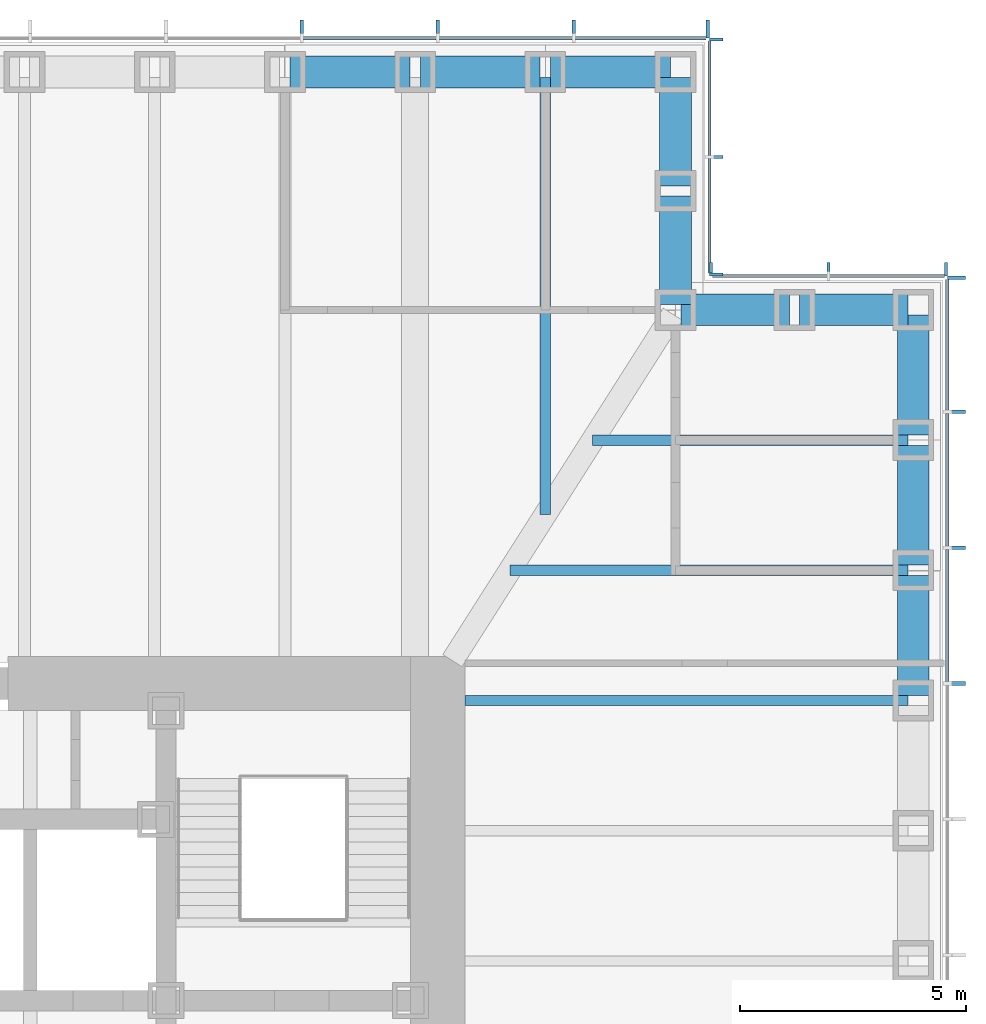
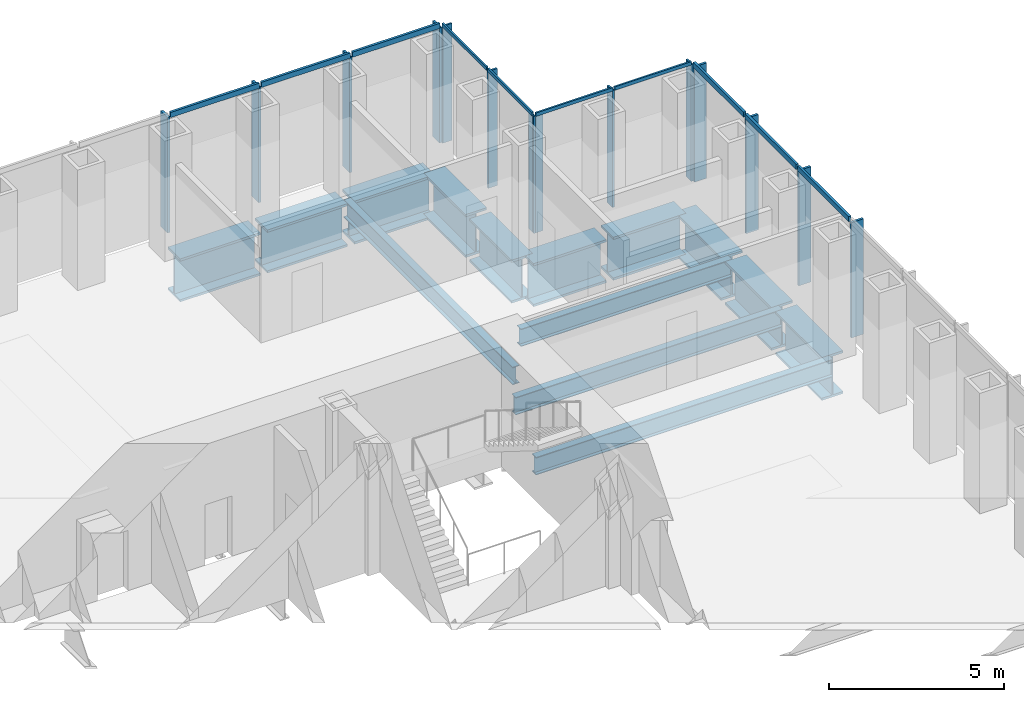
# One storey, part 6 of 16: 24 members, 14 beams, 4 elements without a shape of their own.
"""IFC4 building model written with IfcOpenShell, lengths in metres."""

from ifc_helpers import new_model, si_unit, direction, frame, origin, origin_2d, place, context, subcontext, project, spatial, rectangle, i_section, extrude, material, material_profile, profile_set, type_object, element, aggregate, save


model = new_model("IFC4")

# Units and contexts
model_context = context("Model", 3, precision=1e-05, world=origin(), true_north=direction((0.0, 1.0)))
body_context = subcontext(model_context, "Body", "Model", "MODEL_VIEW")
ifc_project = project(units=[si_unit("LENGTHUNIT", "METRE"), si_unit("AREAUNIT", "SQUARE_METRE"), si_unit("VOLUMEUNIT", "CUBIC_METRE"), si_unit("PLANEANGLEUNIT", "RADIAN"), si_unit("MASSUNIT", "GRAM", prefix="KILO")], contexts=[model_context])

# Site, building, storey
site_placement = place(None, origin())
site = spatial("IfcSite", under=ifc_project, at=site_placement, CompositionType="ELEMENT")
building_placement = place(site_placement, origin())
building = spatial("IfcBuilding", under=site, at=building_placement, Name="Daluyong Arena Tower", CompositionType="ELEMENT")
storey_placement = place(building_placement, frame((0.0, 0.0, 162.699951171875)))
storey = spatial("IfcBuildingStorey", under=building, at=storey_placement, Name="L36", CompositionType="ELEMENT", Elevation=162.699951171875)

# Curtain wall, members
ifc_material_1 = material(Name="Bronze anodised aluminium and glass", Category="aluminium")
curtain_wall_type_1 = type_object("IfcCurtainWallType", Name="Curtain wall CW2", PredefinedType="USERDEFINED", material=ifc_material_1)
curtain_wall_1_placement = place(storey_placement, origin())
curtain_wall_1 = element("IfcCurtainWall", 1, at=curtain_wall_1_placement, inside=storey, type_object=curtain_wall_type_1, Name="curtain wall L36 E", ObjectType="UNITISED CURTAIN WALL", PredefinedType="USERDEFINED")
ifc_material_2 = material(Name="Bronze anodised aluminium fin", Category="aluminium")
ifc_material_profile_1 = material_profile(ifc_material_2, rectangle(XDim=0.39990234375, YDim=0.080078125, at=origin_2d()))
ifc_profile_set_1 = profile_set([ifc_material_profile_1], Name="Bronze anodised aluminium fin")
member_type_1 = type_object("IfcMemberType", Name="CW2 bronze fin 400x80", PredefinedType="MULLION", material=ifc_profile_set_1)
member_1_placement = place(storey_placement, frame((79.449951171875, 89.0, 0.0), z_axis=(0.0, 0.0, 1.0), x_axis=(-1.0, 0.0, 0.0)))
member_1 = element("IfcMember", 2, at=member_1_placement, type_object=member_type_1, Name="curtain wall L36 E fin 10", PredefinedType="MULLION", context=body_context, shape_type="SweptSolid", body=[
    extrude(rectangle(XDim=0.39990234375, YDim=0.080078125, at=origin_2d()), origin(), (0.0, 0.0, 1.0), 4.02001953125),
])
member_2_placement = place(storey_placement, frame((79.449951171875, 92.0, 0.0), z_axis=(0.0, 0.0, 1.0), x_axis=(-1.0, 0.0, 0.0)))
member_2 = element("IfcMember", 3, at=member_2_placement, type_object=member_type_1, Name="curtain wall L36 E fin 11", PredefinedType="MULLION", context=body_context, shape_type="SweptSolid", body=[
    extrude(rectangle(XDim=0.39990234375, YDim=0.080078125, at=origin_2d()), origin(), (0.0, 0.0, 1.0), 4.02001953125),
])
member_3_placement = place(storey_placement, frame((79.449951171875, 95.0, 0.0), z_axis=(0.0, 0.0, 1.0), x_axis=(-1.0, 0.0, 0.0)))
member_3 = element("IfcMember", 4, at=member_3_placement, type_object=member_type_1, Name="curtain wall L36 E fin 12", PredefinedType="MULLION", context=body_context, shape_type="SweptSolid", body=[
    extrude(rectangle(XDim=0.39990234375, YDim=0.080078125, at=origin_2d()), origin(), (0.0, 0.0, 1.0), 4.02001953125),
])
member_4_placement = place(storey_placement, frame((79.449951171875, 97.9599609375, 0.0), z_axis=(0.0, 0.0, 1.0), x_axis=(-1.0, 0.0, 0.0)))
member_4 = element("IfcMember", 5, at=member_4_placement, type_object=member_type_1, Name="curtain wall L36 E fin 13", PredefinedType="MULLION", context=body_context, shape_type="SweptSolid", body=[
    extrude(rectangle(XDim=0.39990234375, YDim=0.080078125, at=origin_2d()), origin(), (0.0, 0.0, 1.0), 4.02001953125),
])

curtain_wall_2_placement = place(storey_placement, origin())
curtain_wall_2 = element("IfcCurtainWall", 6, at=curtain_wall_2_placement, inside=storey, type_object=curtain_wall_type_1, Name="curtain wall L36 N", ObjectType="UNITISED CURTAIN WALL", PredefinedType="USERDEFINED")
member_5_placement = place(storey_placement, frame((73.9599609375, 103.449951171875, 0.0), z_axis=(0.0, 0.0, 1.0), x_axis=(0.0, -1.0, 0.0)))
member_5 = element("IfcMember", 7, at=member_5_placement, type_object=member_type_1, Name="curtain wall L36 N fin 1", PredefinedType="MULLION", context=body_context, shape_type="SweptSolid", body=[
    extrude(rectangle(XDim=0.39990234375, YDim=0.080078125, at=origin_2d()), origin(), (0.0, 0.0, 1.0), 4.02001953125),
])
member_6_placement = place(storey_placement, frame((71.0, 103.449951171875, 0.0), z_axis=(0.0, 0.0, 1.0), x_axis=(0.0, -1.0, 0.0)))
member_6 = element("IfcMember", 8, at=member_6_placement, type_object=member_type_1, Name="curtain wall L36 N fin 2", PredefinedType="MULLION", context=body_context, shape_type="SweptSolid", body=[
    extrude(rectangle(XDim=0.39990234375, YDim=0.080078125, at=origin_2d()), origin(), (0.0, 0.0, 1.0), 4.02001953125),
])
member_7_placement = place(storey_placement, frame((68.0, 103.449951171875, 0.0), z_axis=(0.0, 0.0, 1.0), x_axis=(0.0, -1.0, 0.0)))
member_7 = element("IfcMember", 9, at=member_7_placement, type_object=member_type_1, Name="curtain wall L36 N fin 3", PredefinedType="MULLION", context=body_context, shape_type="SweptSolid", body=[
    extrude(rectangle(XDim=0.39990234375, YDim=0.080078125, at=origin_2d()), origin(), (0.0, 0.0, 1.0), 4.02001953125),
])
member_8_placement = place(storey_placement, frame((65.0, 103.449951171875, 0.0), z_axis=(0.0, 0.0, 1.0), x_axis=(0.0, -1.0, 0.0)))
member_8 = element("IfcMember", 10, at=member_8_placement, type_object=member_type_1, Name="curtain wall L36 N fin 4", PredefinedType="MULLION", context=body_context, shape_type="SweptSolid", body=[
    extrude(rectangle(XDim=0.39990234375, YDim=0.080078125, at=origin_2d()), origin(), (0.0, 0.0, 1.0), 4.02001953125),
])

# Member
ifc_material_3 = material(Name="Bronze anodised aluminium", Category="aluminium")
ifc_material_profile_2 = material_profile(ifc_material_3, rectangle(XDim=0.080078125, YDim=0.179931640625, at=origin_2d()))
ifc_profile_set_2 = profile_set([ifc_material_profile_2], Name="Bronze anodised aluminium")
member_type_2 = type_object("IfcMemberType", Name="CW2 stack transom 180x80", PredefinedType="USERDEFINED", material=ifc_profile_set_2)
member_9_placement = place(storey_placement, frame((79.25, 89.0400390625, 4.110107421875), z_axis=(0.0, 1.0, 0.0), x_axis=(-1.0, 0.0, 0.0)))
member_9 = element("IfcMember", 11, at=member_9_placement, type_object=member_type_2, Name="curtain wall L36 E transom 10", ObjectType="TRANSOM", PredefinedType="USERDEFINED", context=body_context, shape_type="SweptSolid", body=[
    extrude(rectangle(XDim=0.080078125, YDim=0.179931640625, at=origin_2d()), origin(), (0.0, 0.0, 1.0), 2.919921875),
])

member_10_placement = place(storey_placement, frame((79.25, 92.0400390625, 4.110107421875), z_axis=(0.0, 1.0, 0.0), x_axis=(-1.0, 0.0, 0.0)))
member_10 = element("IfcMember", 12, at=member_10_placement, type_object=member_type_2, Name="curtain wall L36 E transom 11", ObjectType="TRANSOM", PredefinedType="USERDEFINED", context=body_context, shape_type="SweptSolid", body=[
    extrude(rectangle(XDim=0.080078125, YDim=0.179931640625, at=origin_2d()), origin(), (0.0, 0.0, 1.0), 2.919921875),
])

member_11_placement = place(storey_placement, frame((79.25, 95.0400390625, 4.110107421875), z_axis=(0.0, 1.0, 0.0), x_axis=(-1.0, 0.0, 0.0)))
member_11 = element("IfcMember", 13, at=member_11_placement, type_object=member_type_2, Name="curtain wall L36 E transom 12", ObjectType="TRANSOM", PredefinedType="USERDEFINED", context=body_context, shape_type="SweptSolid", body=[
    extrude(rectangle(XDim=0.080078125, YDim=0.179931640625, at=origin_2d()), origin(), (0.0, 0.0, 1.0), 2.8798828125),
])

aggregate(curtain_wall_1, [member_1, member_2, member_3, member_4, member_9, member_10, member_11])

member_12_placement = place(storey_placement, frame((73.919921875, 103.25, 4.110107421875), z_axis=(-1.0, 0.0, 0.0), x_axis=(0.0, -1.0, 0.0)))
member_12 = element("IfcMember", 14, at=member_12_placement, type_object=member_type_2, Name="curtain wall L36 N transom 1", ObjectType="TRANSOM", PredefinedType="USERDEFINED", context=body_context, shape_type="SweptSolid", body=[
    extrude(rectangle(XDim=0.080078125, YDim=0.179931640625, at=origin_2d()), origin(), (0.0, 0.0, 1.0), 2.8798828125),
])

member_13_placement = place(storey_placement, frame((70.9599609375, 103.25, 4.110107421875), z_axis=(-1.0, 0.0, 0.0), x_axis=(0.0, -1.0, 0.0)))
member_13 = element("IfcMember", 15, at=member_13_placement, type_object=member_type_2, Name="curtain wall L36 N transom 2", ObjectType="TRANSOM", PredefinedType="USERDEFINED", context=body_context, shape_type="SweptSolid", body=[
    extrude(rectangle(XDim=0.080078125, YDim=0.179931640625, at=origin_2d()), origin(), (0.0, 0.0, 1.0), 2.919921875),
])

member_14_placement = place(storey_placement, frame((67.9599609375, 103.25, 4.110107421875), z_axis=(-1.0, 0.0, 0.0), x_axis=(0.0, -1.0, 0.0)))
member_14 = element("IfcMember", 16, at=member_14_placement, type_object=member_type_2, Name="curtain wall L36 N transom 3", ObjectType="TRANSOM", PredefinedType="USERDEFINED", context=body_context, shape_type="SweptSolid", body=[
    extrude(rectangle(XDim=0.080078125, YDim=0.179931640625, at=origin_2d()), origin(), (0.0, 0.0, 1.0), 2.919921875),
])

aggregate(curtain_wall_2, [member_5, member_6, member_7, member_8, member_12, member_13, member_14])

# Curtain wall, members
ifc_material_4 = material(Name="Bronze anodised aluminium and glass", Category="aluminium")
curtain_wall_type_2 = type_object("IfcCurtainWallType", Name="Curtain wall CW7", PredefinedType="USERDEFINED", material=ifc_material_4)
curtain_wall_3_placement = place(storey_placement, origin())
curtain_wall_3 = element("IfcCurtainWall", 17, at=curtain_wall_3_placement, inside=storey, type_object=curtain_wall_type_2, Name="curtain wall L36 NE-N", ObjectType="UNITISED CURTAIN WALL", PredefinedType="USERDEFINED")
ifc_material_5 = material(Name="Bronze anodised aluminium fin", Category="aluminium")
ifc_material_profile_3 = material_profile(ifc_material_5, rectangle(XDim=0.300048828125, YDim=0.06005859375, at=origin_2d()))
ifc_profile_set_3 = profile_set([ifc_material_profile_3], Name="Bronze anodised aluminium fin")
member_type_3 = type_object("IfcMemberType", Name="CW7 bronze fin 300x60", PredefinedType="MULLION", material=ifc_profile_set_3)
member_15_placement = place(storey_placement, frame((79.219970703125, 98.14990234375, 0.0), z_axis=(0.0, 0.0, 1.0), x_axis=(0.0, -1.0, 0.0)))
member_15 = element("IfcMember", 18, at=member_15_placement, type_object=member_type_3, Name="curtain wall L36 NE-N fin 1", PredefinedType="MULLION", context=body_context, shape_type="SweptSolid", body=[
    extrude(rectangle(XDim=0.300048828125, YDim=0.06005859375, at=origin_2d()), origin(), (0.0, 0.0, 1.0), 4.080078125),
])
member_16_placement = place(storey_placement, frame((76.625, 98.14990234375, 0.0), z_axis=(0.0, 0.0, 1.0), x_axis=(0.0, -1.0, 0.0)))
member_16 = element("IfcMember", 19, at=member_16_placement, type_object=member_type_3, Name="curtain wall L36 NE-N fin 2", PredefinedType="MULLION", context=body_context, shape_type="SweptSolid", body=[
    extrude(rectangle(XDim=0.300048828125, YDim=0.06005859375, at=origin_2d()), origin(), (0.0, 0.0, 1.0), 4.080078125),
])
member_17_placement = place(storey_placement, frame((74.030029296875, 98.14990234375, 0.0), z_axis=(0.0, 0.0, 1.0), x_axis=(0.0, -1.0, 0.0)))
member_17 = element("IfcMember", 20, at=member_17_placement, type_object=member_type_3, Name="curtain wall L36 NE-N fin 3", PredefinedType="MULLION", context=body_context, shape_type="SweptSolid", body=[
    extrude(rectangle(XDim=0.300048828125, YDim=0.06005859375, at=origin_2d()), origin(), (0.0, 0.0, 1.0), 4.080078125),
])

curtain_wall_4_placement = place(storey_placement, origin())
curtain_wall_4 = element("IfcCurtainWall", 21, at=curtain_wall_4_placement, inside=storey, type_object=curtain_wall_type_2, Name="curtain wall L36 NE-E", ObjectType="UNITISED CURTAIN WALL", PredefinedType="USERDEFINED")
member_18_placement = place(storey_placement, frame((74.14990234375, 98.030029296875, 0.0), z_axis=(0.0, 0.0, 1.0), x_axis=(-1.0, 0.0, 0.0)))
member_18 = element("IfcMember", 22, at=member_18_placement, type_object=member_type_3, Name="curtain wall L36 NE-E fin 1", PredefinedType="MULLION", context=body_context, shape_type="SweptSolid", body=[
    extrude(rectangle(XDim=0.300048828125, YDim=0.06005859375, at=origin_2d()), origin(), (0.0, 0.0, 1.0), 4.080078125),
])
member_19_placement = place(storey_placement, frame((74.14990234375, 100.625, 0.0), z_axis=(0.0, 0.0, 1.0), x_axis=(-1.0, 0.0, 0.0)))
member_19 = element("IfcMember", 23, at=member_19_placement, type_object=member_type_3, Name="curtain wall L36 NE-E fin 2", PredefinedType="MULLION", context=body_context, shape_type="SweptSolid", body=[
    extrude(rectangle(XDim=0.300048828125, YDim=0.06005859375, at=origin_2d()), origin(), (0.0, 0.0, 1.0), 4.080078125),
])
member_20_placement = place(storey_placement, frame((74.14990234375, 103.219970703125, 0.0), z_axis=(0.0, 0.0, 1.0), x_axis=(-1.0, 0.0, 0.0)))
member_20 = element("IfcMember", 24, at=member_20_placement, type_object=member_type_3, Name="curtain wall L36 NE-E fin 3", PredefinedType="MULLION", context=body_context, shape_type="SweptSolid", body=[
    extrude(rectangle(XDim=0.300048828125, YDim=0.06005859375, at=origin_2d()), origin(), (0.0, 0.0, 1.0), 4.080078125),
])

# Member
ifc_material_6 = material(Name="Bronze anodised aluminium", Category="aluminium")
ifc_material_profile_4 = material_profile(ifc_material_6, rectangle(XDim=0.06005859375, YDim=0.1201171875, at=origin_2d()))
ifc_profile_set_4 = profile_set([ifc_material_profile_4], Name="Bronze anodised aluminium")
member_type_4 = type_object("IfcMemberType", Name="CW7 stack transom 120x60", PredefinedType="USERDEFINED", material=ifc_profile_set_4)
member_21_placement = place(storey_placement, frame((79.18994140625, 98.0, 4.14013671875), z_axis=(-1.0, 0.0, 0.0), x_axis=(0.0, -1.0, 0.0)))
member_21 = element("IfcMember", 25, at=member_21_placement, type_object=member_type_4, Name="curtain wall L36 NE-N transom 1", ObjectType="TRANSOM", PredefinedType="USERDEFINED", context=body_context, shape_type="SweptSolid", body=[
    extrude(rectangle(XDim=0.06005859375, YDim=0.1201171875, at=origin_2d()), origin(), (0.0, 0.0, 1.0), 2.534912109375),
])

member_22_placement = place(storey_placement, frame((76.594970703125, 98.0, 4.14013671875), z_axis=(-1.0, 0.0, 0.0), x_axis=(0.0, -1.0, 0.0)))
member_22 = element("IfcMember", 26, at=member_22_placement, type_object=member_type_4, Name="curtain wall L36 NE-N transom 2", ObjectType="TRANSOM", PredefinedType="USERDEFINED", context=body_context, shape_type="SweptSolid", body=[
    extrude(rectangle(XDim=0.06005859375, YDim=0.1201171875, at=origin_2d()), origin(), (0.0, 0.0, 1.0), 2.534912109375),
])

aggregate(curtain_wall_3, [member_15, member_16, member_17, member_21, member_22])

member_23_placement = place(storey_placement, frame((74.0, 98.06005859375, 4.14013671875), z_axis=(0.0, 1.0, 0.0), x_axis=(-1.0, 0.0, 0.0)))
member_23 = element("IfcMember", 27, at=member_23_placement, type_object=member_type_4, Name="curtain wall L36 NE-E transom 1", ObjectType="TRANSOM", PredefinedType="USERDEFINED", context=body_context, shape_type="SweptSolid", body=[
    extrude(rectangle(XDim=0.06005859375, YDim=0.1201171875, at=origin_2d()), origin(), (0.0, 0.0, 1.0), 2.534912109375),
])

member_24_placement = place(storey_placement, frame((74.0, 100.655029296875, 4.14013671875), z_axis=(0.0, 1.0, 0.0), x_axis=(-1.0, 0.0, 0.0)))
member_24 = element("IfcMember", 28, at=member_24_placement, type_object=member_type_4, Name="curtain wall L36 NE-E transom 2", ObjectType="TRANSOM", PredefinedType="USERDEFINED", context=body_context, shape_type="SweptSolid", body=[
    extrude(rectangle(XDim=0.06005859375, YDim=0.1201171875, at=origin_2d()), origin(), (0.0, 0.0, 1.0), 2.534912109375),
])

aggregate(curtain_wall_4, [member_18, member_19, member_20, member_23, member_24])

# Beams
ifc_material_7 = material(Name="Steel ASTM A992 Grade 50", Category="steel")
ifc_material_profile_5 = material_profile(ifc_material_7, i_section(OverallWidth=0.22900390625, OverallDepth=0.612060546875, WebThickness=0.011962890625, FlangeThickness=0.01953125, at=origin_2d()))
ifc_profile_set_5 = profile_set([ifc_material_profile_5], Name="Steel ASTM A992 Grade 50")
beam_type_1 = type_object("IfcBeamType", Name="Floor beam W24X84", PredefinedType="BEAM", material=ifc_profile_set_5)
beam_1_placement = place(storey_placement, frame((78.385009765625, 88.625, -0.466064453125), z_axis=(-1.0, 0.0, 0.0), x_axis=(0.0, -1.0, 0.0)))
element("IfcBeam", 29, at=beam_1_placement, inside=storey, type_object=beam_type_1, Name="floor beam FB3", PredefinedType="BEAM", context=body_context, shape_type="SweptSolid", body=[
    extrude(i_section(OverallWidth=0.22900390625, OverallDepth=0.612060546875, WebThickness=0.011962890625, FlangeThickness=0.01953125, at=origin_2d()), origin(), (0.0, 0.0, 1.0), 9.784912109375),
])
beam_2_placement = place(storey_placement, frame((78.385009765625, 91.5, -0.466064453125), z_axis=(-1.0, 0.0, 0.0), x_axis=(0.0, -1.0, 0.0)))
element("IfcBeam", 30, at=beam_2_placement, inside=storey, type_object=beam_type_1, Name="floor beam FB3", PredefinedType="BEAM", context=body_context, shape_type="SweptSolid", body=[
    extrude(i_section(OverallWidth=0.22900390625, OverallDepth=0.612060546875, WebThickness=0.011962890625, FlangeThickness=0.01953125, at=origin_2d()), origin(), (0.0, 0.0, 1.0), 8.794189453125),
])
beam_3_placement = place(storey_placement, frame((78.385009765625, 94.375, -0.466064453125), z_axis=(-1.0, 0.0, 0.0), x_axis=(0.0, -1.0, 0.0)))
element("IfcBeam", 31, at=beam_3_placement, inside=storey, type_object=beam_type_1, Name="floor beam FB3", PredefinedType="BEAM", context=body_context, shape_type="SweptSolid", body=[
    extrude(i_section(OverallWidth=0.22900390625, OverallDepth=0.612060546875, WebThickness=0.011962890625, FlangeThickness=0.01953125, at=origin_2d()), origin(), (0.0, 0.0, 1.0), 6.964599609375),
])
beam_4_placement = place(storey_placement, frame((70.375, 102.385009765625, -0.466064453125), z_axis=(0.0, -1.0, 0.0), x_axis=(1.0, 0.0, 0.0)))
element("IfcBeam", 32, at=beam_4_placement, inside=storey, type_object=beam_type_1, Name="floor beam FB3", PredefinedType="BEAM", context=body_context, shape_type="SweptSolid", body=[
    extrude(i_section(OverallWidth=0.22900390625, OverallDepth=0.612060546875, WebThickness=0.011962890625, FlangeThickness=0.01953125, at=origin_2d()), origin(), (0.0, 0.0, 1.0), 9.65283203125),
])
ifc_material_8 = material(Name="Steel ASTM A572 Grade 50", Category="steel")
ifc_material_profile_6 = material_profile(ifc_material_8, i_section(OverallWidth=0.699951171875, OverallDepth=1.5, WebThickness=0.04, FlangeThickness=0.08, at=origin_2d()))
ifc_profile_set_6 = profile_set([ifc_material_profile_6], Name="Steel ASTM A572 Grade 50")
beam_type_2 = type_object("IfcBeamType", Name="Spandrel Z2 PG1500X700", PredefinedType="SPANDREL", material=ifc_profile_set_6)
for number, where, z_axis, x_axis, name in (
    (33, (78.5, 88.739990234375, -0.909912109375), (0.0, 1.0, 0.0), (-1.0, 0.0, 0.0), "spandrel z2 SB6"),
    (34, (78.5, 91.614990234375, -0.909912109375), (0.0, 1.0, 0.0), (-1.0, 0.0, 0.0), "spandrel z2 SB6"),
    (35, (78.5, 94.489990234375, -0.909912109375), (0.0, 1.0, 0.0), (-1.0, 0.0, 0.0), "spandrel z2 SB6"),
):
    element("IfcBeam", number, at=place(storey_placement, frame(where, z_axis=z_axis, x_axis=x_axis)), inside=storey, type_object=beam_type_2, Name=name, PredefinedType="SPANDREL", context=body_context, shape_type="SweptSolid", body=[
        extrude(i_section(OverallWidth=0.699951171875, OverallDepth=1.5, WebThickness=0.04, FlangeThickness=0.08, at=origin_2d()), origin(), (0.0, 0.0, 1.0), 2.64501953125),
    ])
for number, where, z_axis, x_axis, name in (
    (36, (78.385009765625, 97.25, -0.909912109375), (-1.0, 0.0, 0.0), (0.0, -1.0, 0.0), "spandrel z2 SB6"),
    (37, (75.760009765625, 97.25, -0.909912109375), (-1.0, 0.0, 0.0), (0.0, -1.0, 0.0), "spandrel z2 SB6"),
    (38, (73.25, 97.364990234375, -0.909912109375), (0.0, 1.0, 0.0), (-1.0, 0.0, 0.0), "spandrel z2 SB6"),
    (39, (73.25, 99.989990234375, -0.909912109375), (0.0, 1.0, 0.0), (-1.0, 0.0, 0.0), "spandrel z2 SB6"),
):
    element("IfcBeam", number, at=place(storey_placement, frame(where, z_axis=z_axis, x_axis=x_axis)), inside=storey, type_object=beam_type_2, Name=name, PredefinedType="SPANDREL", context=body_context, shape_type="SweptSolid", body=[
        extrude(i_section(OverallWidth=0.699951171875, OverallDepth=1.5, WebThickness=0.04, FlangeThickness=0.08, at=origin_2d()), origin(), (0.0, 0.0, 1.0), 2.39501953125),
    ])
for number, where, z_axis, x_axis, name in (
    (40, (73.135009765625, 102.5, -0.909912109375), (-1.0, 0.0, 0.0), (0.0, -1.0, 0.0), "spandrel z2 SB6"),
    (41, (70.260009765625, 102.5, -0.909912109375), (-1.0, 0.0, 0.0), (0.0, -1.0, 0.0), "spandrel z2 SB6"),
    (42, (67.385009765625, 102.5, -0.909912109375), (-1.0, 0.0, 0.0), (0.0, -1.0, 0.0), "spandrel z2 SB6"),
):
    element("IfcBeam", number, at=place(storey_placement, frame(where, z_axis=z_axis, x_axis=x_axis)), inside=storey, type_object=beam_type_2, Name=name, PredefinedType="SPANDREL", context=body_context, shape_type="SweptSolid", body=[
        extrude(i_section(OverallWidth=0.699951171875, OverallDepth=1.5, WebThickness=0.04, FlangeThickness=0.08, at=origin_2d()), origin(), (0.0, 0.0, 1.0), 2.64501953125),
    ])

save(model, "model.ifc")
